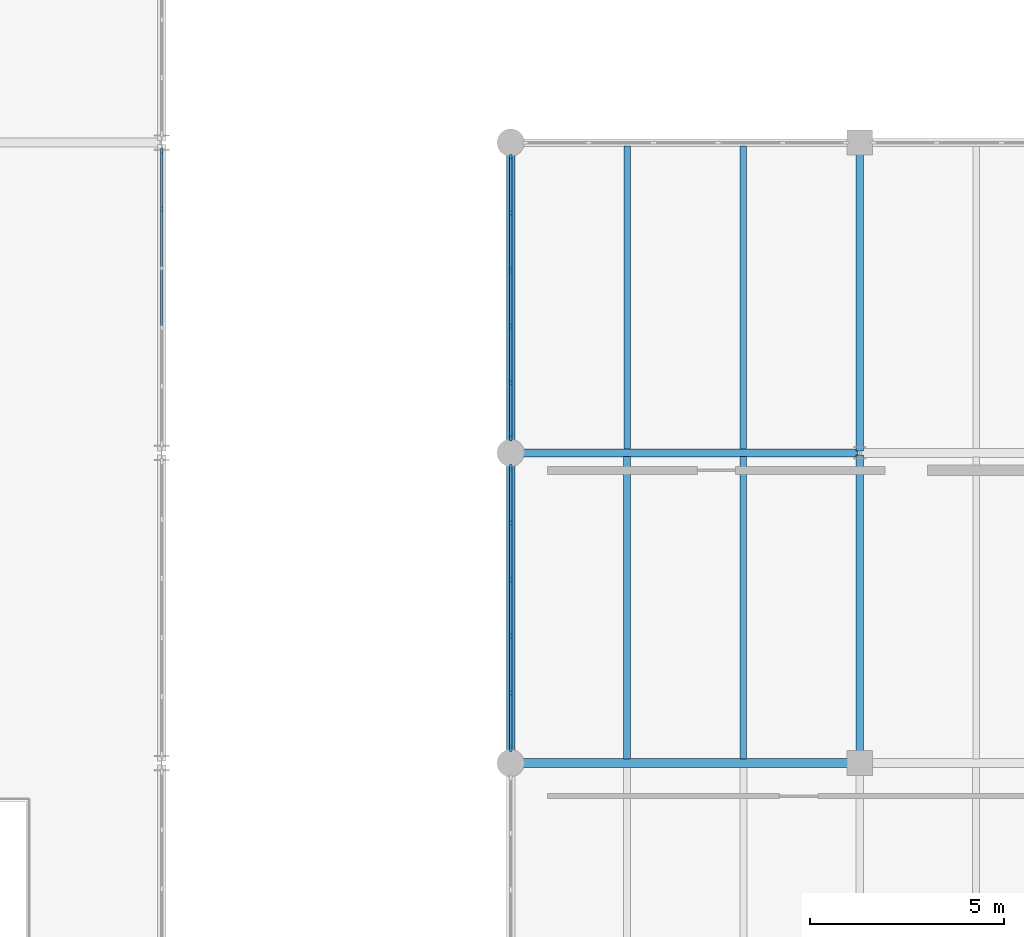
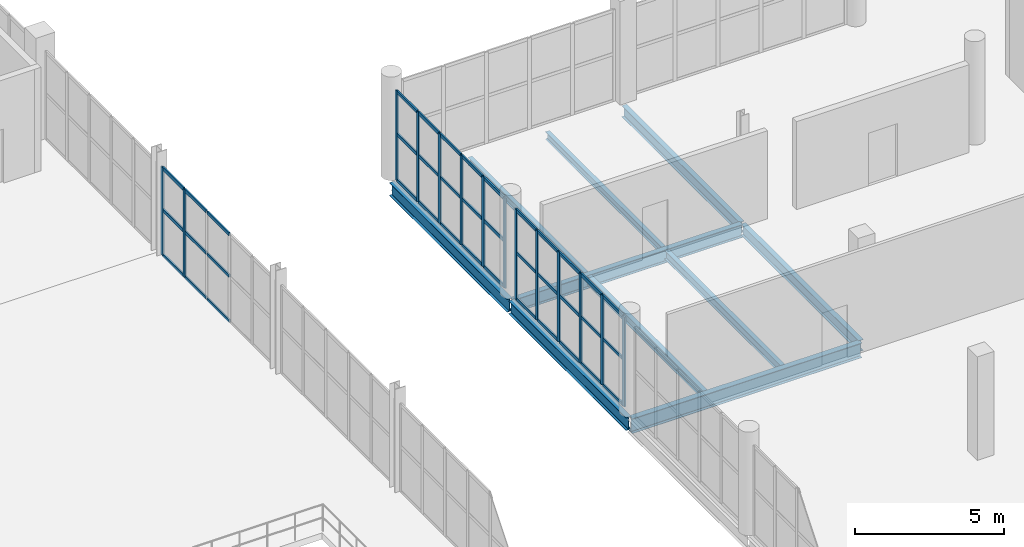
# One storey, part 30 of 85: 53 members, 10 beams, 3 elements without a shape of their own.
"""IFC4 building model written with IfcOpenShell, lengths in metres."""

from ifc_helpers import new_model, si_unit, direction, frame, origin, origin_2d, place, context, subcontext, project, spatial, rectangle, i_section, extrude, material, layer, layer_set, material_profile, profile_set, type_object, element, aggregate, save


model = new_model("IFC4")

# Units and contexts
model_context = context("Model", 3, precision=1e-05, world=origin(), true_north=direction((0.0, 1.0)))
body_context = subcontext(model_context, "Body", "Model", "MODEL_VIEW")
ifc_project = project(units=[si_unit("LENGTHUNIT", "METRE"), si_unit("AREAUNIT", "SQUARE_METRE"), si_unit("VOLUMEUNIT", "CUBIC_METRE"), si_unit("PLANEANGLEUNIT", "RADIAN"), si_unit("MASSUNIT", "GRAM", prefix="KILO")], contexts=[model_context])

# Site, building, storey
site_placement = place(None, origin())
site = spatial("IfcSite", under=ifc_project, at=site_placement, CompositionType="ELEMENT")
building_placement = place(site_placement, origin())
building = spatial("IfcBuilding", under=site, at=building_placement, Name="Marnock Terrace Opera House", CompositionType="ELEMENT")
storey_placement = place(building_placement, frame((0.0, 0.0, 10.199951171875)))
storey = spatial("IfcBuildingStorey", under=building, at=storey_placement, Name="L02", CompositionType="ELEMENT", Elevation=10.199951171875)

# Beams
ifc_material_1 = material(Name="Steel Grade 350 (AS/NZS 3679.1)", Category="steel")
ifc_material_profile_1 = material_profile(ifc_material_1, i_section(OverallWidth=0.18994140625, OverallDepth=0.45751953125, WebThickness=0.009033203125, FlangeThickness=0.014404296875, FilletRadius=0.011474609375, at=origin_2d()))
ifc_profile_set_1 = profile_set([ifc_material_profile_1], Name="Steel Grade 350 (AS/NZS 3679.1)")
beam_type_1 = type_object("IfcBeamType", Name="BM-GIRD-460B", PredefinedType="BEAM", material=ifc_profile_set_1)
for number, where, z_axis, x_axis, name in (
    (1, (127.0, 24.050048828125, -0.48876953125), (0.0, 1.0, 0.0), (-1.0, 0.0, 0.0), "L02 girder (X=127.0, 24.0..32.0)"),
    (2, (127.0, 32.050048828125, -0.48876953125), (0.0, 1.0, 0.0), (-1.0, 0.0, 0.0), "L02 girder (X=127.0, 32.0..40.0)"),
):
    element("IfcBeam", number, at=place(storey_placement, frame(where, z_axis=z_axis, x_axis=x_axis)), inside=storey, type_object=beam_type_1, Name=name, PredefinedType="BEAM", context=body_context, shape_type="SweptSolid", body=[
        extrude(i_section(OverallWidth=0.18994140625, OverallDepth=0.45751953125, WebThickness=0.009033203125, FlangeThickness=0.014404296875, FilletRadius=0.011474609375, at=origin_2d()), origin(), (0.0, 0.0, 1.0), 7.89990234375),
    ])
ifc_material_profile_2 = material_profile(ifc_material_1, i_section(OverallWidth=0.208984375, OverallDepth=0.532958984375, WebThickness=0.01025390625, FlangeThickness=0.015625, FilletRadius=0.013916015625, at=origin_2d()))
ifc_profile_set_2 = profile_set([ifc_material_profile_2], Name="Steel Grade 350 (AS/NZS 3679.1)")
beam_type_2 = type_object("IfcBeamType", Name="BM-GIRD-530A", PredefinedType="BEAM", material=ifc_profile_set_2)
beam_1_placement = place(storey_placement, frame((118.050048828125, 32.0, -0.5263671875), z_axis=(1.0, 0.0, 0.0), x_axis=(0.0, 1.0, 0.0)))
element("IfcBeam", 3, at=beam_1_placement, inside=storey, type_object=beam_type_2, Name="L02 girder (118.0..127.0, Y=32.0)", PredefinedType="BEAM", context=body_context, shape_type="SweptSolid", body=[
    extrude(i_section(OverallWidth=0.208984375, OverallDepth=0.532958984375, WebThickness=0.01025390625, FlangeThickness=0.015625, FilletRadius=0.013916015625, at=origin_2d()), origin(), (0.0, 0.0, 1.0), 8.89990234375),
])
ifc_material_profile_3 = material_profile(ifc_material_1, i_section(OverallWidth=0.208984375, OverallDepth=0.528076171875, WebThickness=0.009521484375, FlangeThickness=0.01318359375, FilletRadius=0.013916015625, at=origin_2d()))
ifc_profile_set_3 = profile_set([ifc_material_profile_3], Name="Steel Grade 350 (AS/NZS 3679.1)")
beam_type_3 = type_object("IfcBeamType", Name="BM-GIRD-530B", PredefinedType="BEAM", material=ifc_profile_set_3)
for number, where, z_axis, x_axis, name in (
    (4, (118.0, 24.050048828125, -0.52392578125), (0.0, 1.0, 0.0), (-1.0, 0.0, 0.0), "L02 girder (X=118.0, 24.0..32.0)"),
    (5, (118.0, 32.050048828125, -0.52392578125), (0.0, 1.0, 0.0), (-1.0, 0.0, 0.0), "L02 girder (X=118.0, 32.0..40.0)"),
):
    element("IfcBeam", number, at=place(storey_placement, frame(where, z_axis=z_axis, x_axis=x_axis)), inside=storey, type_object=beam_type_3, Name=name, PredefinedType="BEAM", context=body_context, shape_type="SweptSolid", body=[
        extrude(i_section(OverallWidth=0.208984375, OverallDepth=0.528076171875, WebThickness=0.009521484375, FlangeThickness=0.01318359375, FilletRadius=0.013916015625, at=origin_2d()), origin(), (0.0, 0.0, 1.0), 7.89990234375),
    ])
ifc_material_profile_4 = material_profile(ifc_material_1, i_section(OverallWidth=0.22802734375, OverallDepth=0.60693359375, WebThickness=0.01123046875, FlangeThickness=0.017333984375, FilletRadius=0.013916015625, at=origin_2d()))
ifc_profile_set_4 = profile_set([ifc_material_profile_4], Name="Steel Grade 350 (AS/NZS 3679.1)")
beam_type_4 = type_object("IfcBeamType", Name="BM-GIRD-610B", PredefinedType="BEAM", material=ifc_profile_set_4)
beam_2_placement = place(storey_placement, frame((118.050048828125, 24.0, -0.5634765625), z_axis=(1.0, 0.0, 0.0), x_axis=(0.0, 1.0, 0.0)))
element("IfcBeam", 6, at=beam_2_placement, inside=storey, type_object=beam_type_4, Name="L02 girder (118.0..127.0, Y=24.0)", PredefinedType="BEAM", context=body_context, shape_type="SweptSolid", body=[
    extrude(i_section(OverallWidth=0.22802734375, OverallDepth=0.60693359375, WebThickness=0.01123046875, FlangeThickness=0.017333984375, FilletRadius=0.013916015625, at=origin_2d()), origin(), (0.0, 0.0, 1.0), 8.89990234375),
])
ifc_material_profile_5 = material_profile(ifc_material_1, i_section(OverallWidth=0.166015625, OverallDepth=0.30712890625, WebThickness=0.006591796875, FlangeThickness=0.01171875, FilletRadius=0.011474609375, at=origin_2d()))
ifc_profile_set_5 = profile_set([ifc_material_profile_5], Name="Steel Grade 350 (AS/NZS 3679.1)")
beam_type_5 = type_object("IfcBeamType", Name="BM-JOIST-310A", PredefinedType="JOIST", material=ifc_profile_set_5)
for number, where, z_axis, x_axis, name in (
    (7, (121.0, 32.099609375, -0.41357421875), (0.0, 1.0, 0.0), (-1.0, 0.0, 0.0), "L02 secondary joist 13.4.1"),
    (8, (124.0, 32.099609375, -0.41357421875), (0.0, 1.0, 0.0), (-1.0, 0.0, 0.0), "L02 secondary joist 13.4.2"),
):
    element("IfcBeam", number, at=place(storey_placement, frame(where, z_axis=z_axis, x_axis=x_axis)), inside=storey, type_object=beam_type_5, Name=name, PredefinedType="JOIST", context=body_context, shape_type="SweptSolid", body=[
        extrude(i_section(OverallWidth=0.166015625, OverallDepth=0.30712890625, WebThickness=0.006591796875, FlangeThickness=0.01171875, FilletRadius=0.011474609375, at=origin_2d()), origin(), (0.0, 0.0, 1.0), 7.809814453125),
    ])
ifc_material_profile_6 = material_profile(ifc_material_1, i_section(OverallWidth=0.172119140625, OverallDepth=0.358642578125, WebThickness=0.008056640625, FlangeThickness=0.012939453125, FilletRadius=0.011474609375, at=origin_2d()))
ifc_profile_set_6 = profile_set([ifc_material_profile_6], Name="Steel Grade 350 (AS/NZS 3679.1)")
beam_type_6 = type_object("IfcBeamType", Name="BM-JOIST-360", PredefinedType="JOIST", material=ifc_profile_set_6)
for number, where, z_axis, x_axis, name in (
    (9, (121.0, 24.10888671875, -0.439208984375), (0.0, 1.0, 0.0), (-1.0, 0.0, 0.0), "L02 secondary joist 13.3.1"),
    (10, (124.0, 24.10888671875, -0.439208984375), (0.0, 1.0, 0.0), (-1.0, 0.0, 0.0), "L02 secondary joist 13.3.2"),
):
    element("IfcBeam", number, at=place(storey_placement, frame(where, z_axis=z_axis, x_axis=x_axis)), inside=storey, type_object=beam_type_6, Name=name, PredefinedType="JOIST", context=body_context, shape_type="SweptSolid", body=[
        extrude(i_section(OverallWidth=0.172119140625, OverallDepth=0.358642578125, WebThickness=0.008056640625, FlangeThickness=0.012939453125, FilletRadius=0.011474609375, at=origin_2d()), origin(), (0.0, 0.0, 1.0), 7.79150390625),
    ])

# Curtain wall, members
ifc_material_2 = material(Name="Anodised architectural bronze aluminium framing", Category="aluminium")
ifc_layer_1 = layer(ifc_material_2, 0.159912109375)
ifc_layer_set_1 = layer_set([ifc_layer_1], Name="Anodised architectural bronze aluminium framing")
curtain_wall_type_1 = type_object("IfcCurtainWallType", Name="CW-FOYER-80x42", PredefinedType="NOTDEFINED", material=ifc_layer_set_1)
curtain_wall_1_placement = place(storey_placement, origin())
curtain_wall_1 = element("IfcCurtainWall", 11, at=curtain_wall_1_placement, inside=storey, type_object=curtain_wall_type_1, Name="L02 glazed Beaux-Arts colonnade curtain wall CW-V1E-L02-04", PredefinedType="NOTDEFINED")
ifc_material_profile_7 = material_profile(ifc_material_2, rectangle(XDim=0.06005859375, YDim=0.14990234375, at=origin_2d()))
ifc_profile_set_7 = profile_set([ifc_material_profile_7], Name="Anodised architectural bronze aluminium framing")
member_type_1 = type_object("IfcMemberType", Name="CWM-60x150", PredefinedType="MULLION", material=ifc_profile_set_7)
member_1_placement = place(storey_placement, frame((109.0, 38.282470703125, 0.0), z_axis=(0.0, 0.0, 1.0), x_axis=(-1.0, 0.0, 0.0)))
member_1 = element("IfcMember", 12, at=member_1_placement, type_object=member_type_1, Name="CW-62 mullion 5", PredefinedType="MULLION", context=body_context, shape_type="SweptSolid", body=[
    extrude(rectangle(XDim=0.06005859375, YDim=0.14990234375, at=origin_2d()), origin(), (0.0, 0.0, 1.0), 3.608154296875),
])
member_2_placement = place(storey_placement, frame((109.0, 39.77392578125, 0.0), z_axis=(0.0, 0.0, 1.0), x_axis=(-1.0, 0.0, 0.0)))
member_2 = element("IfcMember", 13, at=member_2_placement, type_object=member_type_1, Name="CW-62 mullion 6", PredefinedType="MULLION", context=body_context, shape_type="SweptSolid", body=[
    extrude(rectangle(XDim=0.06005859375, YDim=0.14990234375, at=origin_2d()), origin(), (0.0, 0.0, 1.0), 3.608154296875),
])

ifc_layer_2 = layer(ifc_material_2, 0.159912109375)
ifc_layer_set_2 = layer_set([ifc_layer_2], Name="Anodised architectural bronze aluminium framing")
curtain_wall_type_2 = type_object("IfcCurtainWallType", Name="CW-LOGGIA-86x42", PredefinedType="NOTDEFINED", material=ifc_layer_set_2)
curtain_wall_2_placement = place(storey_placement, origin())
curtain_wall_2 = element("IfcCurtainWall", 14, at=curtain_wall_2_placement, inside=storey, type_object=curtain_wall_type_2, Name="L02 glazed Beaux-Arts colonnade curtain wall CW-V5-L02-W3", PredefinedType="NOTDEFINED")
member_3_placement = place(storey_placement, frame((118.0, 24.3759765625, 0.0), z_axis=(0.0, 0.0, 1.0), x_axis=(-1.0, 0.0, 0.0)))
member_3 = element("IfcMember", 15, at=member_3_placement, type_object=member_type_1, Name="CW-66 mullion 1", PredefinedType="MULLION", context=body_context, shape_type="SweptSolid", body=[
    extrude(rectangle(XDim=0.06005859375, YDim=0.14990234375, at=origin_2d()), origin(), (0.0, 0.0, 1.0), 3.68212890625),
])
member_4_placement = place(storey_placement, frame((118.0, 25.8076171875, 0.0), z_axis=(0.0, 0.0, 1.0), x_axis=(-1.0, 0.0, 0.0)))
member_4 = element("IfcMember", 16, at=member_4_placement, type_object=member_type_1, Name="CW-66 mullion 2", PredefinedType="MULLION", context=body_context, shape_type="SweptSolid", body=[
    extrude(rectangle(XDim=0.06005859375, YDim=0.14990234375, at=origin_2d()), origin(), (0.0, 0.0, 1.0), 3.68212890625),
])
member_5_placement = place(storey_placement, frame((118.0, 27.269287109375, 0.0), z_axis=(0.0, 0.0, 1.0), x_axis=(-1.0, 0.0, 0.0)))
member_5 = element("IfcMember", 17, at=member_5_placement, type_object=member_type_1, Name="CW-66 mullion 3", PredefinedType="MULLION", context=body_context, shape_type="SweptSolid", body=[
    extrude(rectangle(XDim=0.06005859375, YDim=0.14990234375, at=origin_2d()), origin(), (0.0, 0.0, 1.0), 3.68212890625),
])
member_6_placement = place(storey_placement, frame((118.0, 28.730712890625, 0.0), z_axis=(0.0, 0.0, 1.0), x_axis=(-1.0, 0.0, 0.0)))
member_6 = element("IfcMember", 18, at=member_6_placement, type_object=member_type_1, Name="CW-66 mullion 4", PredefinedType="MULLION", context=body_context, shape_type="SweptSolid", body=[
    extrude(rectangle(XDim=0.06005859375, YDim=0.14990234375, at=origin_2d()), origin(), (0.0, 0.0, 1.0), 3.68212890625),
])
member_7_placement = place(storey_placement, frame((118.0, 30.1923828125, 0.0), z_axis=(0.0, 0.0, 1.0), x_axis=(-1.0, 0.0, 0.0)))
member_7 = element("IfcMember", 19, at=member_7_placement, type_object=member_type_1, Name="CW-66 mullion 5", PredefinedType="MULLION", context=body_context, shape_type="SweptSolid", body=[
    extrude(rectangle(XDim=0.06005859375, YDim=0.14990234375, at=origin_2d()), origin(), (0.0, 0.0, 1.0), 3.68212890625),
])
member_8_placement = place(storey_placement, frame((118.0, 31.6240234375, 0.0), z_axis=(0.0, 0.0, 1.0), x_axis=(-1.0, 0.0, 0.0)))
member_8 = element("IfcMember", 20, at=member_8_placement, type_object=member_type_1, Name="CW-66 mullion 6", PredefinedType="MULLION", context=body_context, shape_type="SweptSolid", body=[
    extrude(rectangle(XDim=0.06005859375, YDim=0.14990234375, at=origin_2d()), origin(), (0.0, 0.0, 1.0), 3.68212890625),
])

curtain_wall_3_placement = place(storey_placement, origin())
curtain_wall_3 = element("IfcCurtainWall", 21, at=curtain_wall_3_placement, inside=storey, type_object=curtain_wall_type_2, Name="L02 glazed Beaux-Arts colonnade curtain wall CW-V5-L02-W4", PredefinedType="NOTDEFINED")
member_9_placement = place(storey_placement, frame((118.0, 32.3759765625, 0.0), z_axis=(0.0, 0.0, 1.0), x_axis=(-1.0, 0.0, 0.0)))
member_9 = element("IfcMember", 22, at=member_9_placement, type_object=member_type_1, Name="CW-66 mullion 1", PredefinedType="MULLION", context=body_context, shape_type="SweptSolid", body=[
    extrude(rectangle(XDim=0.06005859375, YDim=0.14990234375, at=origin_2d()), origin(), (0.0, 0.0, 1.0), 3.68212890625),
])
member_10_placement = place(storey_placement, frame((118.0, 33.8076171875, 0.0), z_axis=(0.0, 0.0, 1.0), x_axis=(-1.0, 0.0, 0.0)))
member_10 = element("IfcMember", 23, at=member_10_placement, type_object=member_type_1, Name="CW-66 mullion 2", PredefinedType="MULLION", context=body_context, shape_type="SweptSolid", body=[
    extrude(rectangle(XDim=0.06005859375, YDim=0.14990234375, at=origin_2d()), origin(), (0.0, 0.0, 1.0), 3.68212890625),
])
member_11_placement = place(storey_placement, frame((118.0, 35.269287109375, 0.0), z_axis=(0.0, 0.0, 1.0), x_axis=(-1.0, 0.0, 0.0)))
member_11 = element("IfcMember", 24, at=member_11_placement, type_object=member_type_1, Name="CW-66 mullion 3", PredefinedType="MULLION", context=body_context, shape_type="SweptSolid", body=[
    extrude(rectangle(XDim=0.06005859375, YDim=0.14990234375, at=origin_2d()), origin(), (0.0, 0.0, 1.0), 3.68212890625),
])
member_12_placement = place(storey_placement, frame((118.0, 36.730712890625, 0.0), z_axis=(0.0, 0.0, 1.0), x_axis=(-1.0, 0.0, 0.0)))
member_12 = element("IfcMember", 25, at=member_12_placement, type_object=member_type_1, Name="CW-66 mullion 4", PredefinedType="MULLION", context=body_context, shape_type="SweptSolid", body=[
    extrude(rectangle(XDim=0.06005859375, YDim=0.14990234375, at=origin_2d()), origin(), (0.0, 0.0, 1.0), 3.68212890625),
])
member_13_placement = place(storey_placement, frame((118.0, 38.1923828125, 0.0), z_axis=(0.0, 0.0, 1.0), x_axis=(-1.0, 0.0, 0.0)))
member_13 = element("IfcMember", 26, at=member_13_placement, type_object=member_type_1, Name="CW-66 mullion 5", PredefinedType="MULLION", context=body_context, shape_type="SweptSolid", body=[
    extrude(rectangle(XDim=0.06005859375, YDim=0.14990234375, at=origin_2d()), origin(), (0.0, 0.0, 1.0), 3.68212890625),
])
member_14_placement = place(storey_placement, frame((118.0, 39.6240234375, 0.0), z_axis=(0.0, 0.0, 1.0), x_axis=(-1.0, 0.0, 0.0)))
member_14 = element("IfcMember", 27, at=member_14_placement, type_object=member_type_1, Name="CW-66 mullion 6", PredefinedType="MULLION", context=body_context, shape_type="SweptSolid", body=[
    extrude(rectangle(XDim=0.06005859375, YDim=0.14990234375, at=origin_2d()), origin(), (0.0, 0.0, 1.0), 3.68212890625),
])

# Member
ifc_material_profile_8 = material_profile(ifc_material_2, rectangle(XDim=0.06005859375, YDim=0.1298828125, at=origin_2d()))
ifc_profile_set_8 = profile_set([ifc_material_profile_8], Name="Anodised architectural bronze aluminium framing")
member_type_2 = type_object("IfcMemberType", Name="CWT-60x130", PredefinedType="USERDEFINED", material=ifc_profile_set_8)
member_15_placement = place(storey_placement, frame((109.0, 35.269287109375, 0.030029296875), z_axis=(0.0, 1.0, 0.0), x_axis=(-1.0, 0.0, 0.0)))
member_15 = element("IfcMember", 28, at=member_15_placement, type_object=member_type_2, Name="CW-62 transom 3.1", ObjectType="TRANSOM", PredefinedType="USERDEFINED", context=body_context, shape_type="SweptSolid", body=[
    extrude(rectangle(XDim=0.06005859375, YDim=0.1298828125, at=origin_2d()), origin(), (0.0, 0.0, 1.0), 1.46142578125),
])

member_16_placement = place(storey_placement, frame((109.0, 35.269287109375, 1.876220703125), z_axis=(0.0, 1.0, 0.0), x_axis=(-1.0, 0.0, 0.0)))
member_16 = element("IfcMember", 29, at=member_16_placement, type_object=member_type_2, Name="CW-62 transom 3.2", ObjectType="TRANSOM", PredefinedType="USERDEFINED", context=body_context, shape_type="SweptSolid", body=[
    extrude(rectangle(XDim=0.06005859375, YDim=0.1298828125, at=origin_2d()), origin(), (0.0, 0.0, 1.0), 1.46142578125),
])

member_17_placement = place(storey_placement, frame((109.0, 35.269287109375, 3.578125), z_axis=(0.0, 1.0, 0.0), x_axis=(-1.0, 0.0, 0.0)))
member_17 = element("IfcMember", 30, at=member_17_placement, type_object=member_type_2, Name="CW-62 transom 3.3", ObjectType="TRANSOM", PredefinedType="USERDEFINED", context=body_context, shape_type="SweptSolid", body=[
    extrude(rectangle(XDim=0.06005859375, YDim=0.1298828125, at=origin_2d()), origin(), (0.0, 0.0, 1.0), 1.46142578125),
])

member_18_placement = place(storey_placement, frame((109.0, 36.790771484375, 0.030029296875), z_axis=(0.0, 1.0, 0.0), x_axis=(-1.0, 0.0, 0.0)))
member_18 = element("IfcMember", 31, at=member_18_placement, type_object=member_type_2, Name="CW-62 transom 4.1", ObjectType="TRANSOM", PredefinedType="USERDEFINED", context=body_context, shape_type="SweptSolid", body=[
    extrude(rectangle(XDim=0.06005859375, YDim=0.1298828125, at=origin_2d()), origin(), (0.0, 0.0, 1.0), 1.461669921875),
])

member_19_placement = place(storey_placement, frame((109.0, 36.790771484375, 1.876220703125), z_axis=(0.0, 1.0, 0.0), x_axis=(-1.0, 0.0, 0.0)))
member_19 = element("IfcMember", 32, at=member_19_placement, type_object=member_type_2, Name="CW-62 transom 4.2", ObjectType="TRANSOM", PredefinedType="USERDEFINED", context=body_context, shape_type="SweptSolid", body=[
    extrude(rectangle(XDim=0.06005859375, YDim=0.1298828125, at=origin_2d()), origin(), (0.0, 0.0, 1.0), 1.461669921875),
])

member_20_placement = place(storey_placement, frame((109.0, 36.790771484375, 3.578125), z_axis=(0.0, 1.0, 0.0), x_axis=(-1.0, 0.0, 0.0)))
member_20 = element("IfcMember", 33, at=member_20_placement, type_object=member_type_2, Name="CW-62 transom 4.3", ObjectType="TRANSOM", PredefinedType="USERDEFINED", context=body_context, shape_type="SweptSolid", body=[
    extrude(rectangle(XDim=0.06005859375, YDim=0.1298828125, at=origin_2d()), origin(), (0.0, 0.0, 1.0), 1.461669921875),
])

member_21_placement = place(storey_placement, frame((109.0, 38.3125, 0.030029296875), z_axis=(0.0, 1.0, 0.0), x_axis=(-1.0, 0.0, 0.0)))
member_21 = element("IfcMember", 34, at=member_21_placement, type_object=member_type_2, Name="CW-62 transom 5.1", ObjectType="TRANSOM", PredefinedType="USERDEFINED", context=body_context, shape_type="SweptSolid", body=[
    extrude(rectangle(XDim=0.06005859375, YDim=0.1298828125, at=origin_2d()), origin(), (0.0, 0.0, 1.0), 1.431396484375),
])

member_22_placement = place(storey_placement, frame((109.0, 38.3125, 1.876220703125), z_axis=(0.0, 1.0, 0.0), x_axis=(-1.0, 0.0, 0.0)))
member_22 = element("IfcMember", 35, at=member_22_placement, type_object=member_type_2, Name="CW-62 transom 5.2", ObjectType="TRANSOM", PredefinedType="USERDEFINED", context=body_context, shape_type="SweptSolid", body=[
    extrude(rectangle(XDim=0.06005859375, YDim=0.1298828125, at=origin_2d()), origin(), (0.0, 0.0, 1.0), 1.431396484375),
])

member_23_placement = place(storey_placement, frame((109.0, 38.3125, 3.578125), z_axis=(0.0, 1.0, 0.0), x_axis=(-1.0, 0.0, 0.0)))
member_23 = element("IfcMember", 36, at=member_23_placement, type_object=member_type_2, Name="CW-62 transom 5.3", ObjectType="TRANSOM", PredefinedType="USERDEFINED", context=body_context, shape_type="SweptSolid", body=[
    extrude(rectangle(XDim=0.06005859375, YDim=0.1298828125, at=origin_2d()), origin(), (0.0, 0.0, 1.0), 1.431396484375),
])

aggregate(curtain_wall_1, [member_1, member_2, member_15, member_16, member_17, member_18, member_19, member_20, member_21, member_22, member_23])

member_24_placement = place(storey_placement, frame((118.0, 24.406005859375, 0.030029296875), z_axis=(0.0, 1.0, 0.0), x_axis=(-1.0, 0.0, 0.0)))
member_24 = element("IfcMember", 37, at=member_24_placement, type_object=member_type_2, Name="CW-66 transom 1.1", ObjectType="TRANSOM", PredefinedType="USERDEFINED", context=body_context, shape_type="SweptSolid", body=[
    extrude(rectangle(XDim=0.06005859375, YDim=0.1298828125, at=origin_2d()), origin(), (0.0, 0.0, 1.0), 1.37158203125),
])

member_25_placement = place(storey_placement, frame((118.0, 24.406005859375, 1.91455078125), z_axis=(0.0, 1.0, 0.0), x_axis=(-1.0, 0.0, 0.0)))
member_25 = element("IfcMember", 38, at=member_25_placement, type_object=member_type_2, Name="CW-66 transom 1.2", ObjectType="TRANSOM", PredefinedType="USERDEFINED", context=body_context, shape_type="SweptSolid", body=[
    extrude(rectangle(XDim=0.06005859375, YDim=0.1298828125, at=origin_2d()), origin(), (0.0, 0.0, 1.0), 1.37158203125),
])

member_26_placement = place(storey_placement, frame((118.0, 24.406005859375, 3.652099609375), z_axis=(0.0, 1.0, 0.0), x_axis=(-1.0, 0.0, 0.0)))
member_26 = element("IfcMember", 39, at=member_26_placement, type_object=member_type_2, Name="CW-66 transom 1.3", ObjectType="TRANSOM", PredefinedType="USERDEFINED", context=body_context, shape_type="SweptSolid", body=[
    extrude(rectangle(XDim=0.06005859375, YDim=0.1298828125, at=origin_2d()), origin(), (0.0, 0.0, 1.0), 1.37158203125),
])

member_27_placement = place(storey_placement, frame((118.0, 25.837646484375, 0.030029296875), z_axis=(0.0, 1.0, 0.0), x_axis=(-1.0, 0.0, 0.0)))
member_27 = element("IfcMember", 40, at=member_27_placement, type_object=member_type_2, Name="CW-66 transom 2.1", ObjectType="TRANSOM", PredefinedType="USERDEFINED", context=body_context, shape_type="SweptSolid", body=[
    extrude(rectangle(XDim=0.06005859375, YDim=0.1298828125, at=origin_2d()), origin(), (0.0, 0.0, 1.0), 1.401611328125),
])

member_28_placement = place(storey_placement, frame((118.0, 25.837646484375, 1.91455078125), z_axis=(0.0, 1.0, 0.0), x_axis=(-1.0, 0.0, 0.0)))
member_28 = element("IfcMember", 41, at=member_28_placement, type_object=member_type_2, Name="CW-66 transom 2.2", ObjectType="TRANSOM", PredefinedType="USERDEFINED", context=body_context, shape_type="SweptSolid", body=[
    extrude(rectangle(XDim=0.06005859375, YDim=0.1298828125, at=origin_2d()), origin(), (0.0, 0.0, 1.0), 1.401611328125),
])

member_29_placement = place(storey_placement, frame((118.0, 25.837646484375, 3.652099609375), z_axis=(0.0, 1.0, 0.0), x_axis=(-1.0, 0.0, 0.0)))
member_29 = element("IfcMember", 42, at=member_29_placement, type_object=member_type_2, Name="CW-66 transom 2.3", ObjectType="TRANSOM", PredefinedType="USERDEFINED", context=body_context, shape_type="SweptSolid", body=[
    extrude(rectangle(XDim=0.06005859375, YDim=0.1298828125, at=origin_2d()), origin(), (0.0, 0.0, 1.0), 1.401611328125),
])

member_30_placement = place(storey_placement, frame((118.0, 27.29931640625, 0.030029296875), z_axis=(0.0, 1.0, 0.0), x_axis=(-1.0, 0.0, 0.0)))
member_30 = element("IfcMember", 43, at=member_30_placement, type_object=member_type_2, Name="CW-66 transom 3.1", ObjectType="TRANSOM", PredefinedType="USERDEFINED", context=body_context, shape_type="SweptSolid", body=[
    extrude(rectangle(XDim=0.06005859375, YDim=0.1298828125, at=origin_2d()), origin(), (0.0, 0.0, 1.0), 1.4013671875),
])

member_31_placement = place(storey_placement, frame((118.0, 27.29931640625, 1.91455078125), z_axis=(0.0, 1.0, 0.0), x_axis=(-1.0, 0.0, 0.0)))
member_31 = element("IfcMember", 44, at=member_31_placement, type_object=member_type_2, Name="CW-66 transom 3.2", ObjectType="TRANSOM", PredefinedType="USERDEFINED", context=body_context, shape_type="SweptSolid", body=[
    extrude(rectangle(XDim=0.06005859375, YDim=0.1298828125, at=origin_2d()), origin(), (0.0, 0.0, 1.0), 1.4013671875),
])

member_32_placement = place(storey_placement, frame((118.0, 27.29931640625, 3.652099609375), z_axis=(0.0, 1.0, 0.0), x_axis=(-1.0, 0.0, 0.0)))
member_32 = element("IfcMember", 45, at=member_32_placement, type_object=member_type_2, Name="CW-66 transom 3.3", ObjectType="TRANSOM", PredefinedType="USERDEFINED", context=body_context, shape_type="SweptSolid", body=[
    extrude(rectangle(XDim=0.06005859375, YDim=0.1298828125, at=origin_2d()), origin(), (0.0, 0.0, 1.0), 1.4013671875),
])

member_33_placement = place(storey_placement, frame((118.0, 28.7607421875, 0.030029296875), z_axis=(0.0, 1.0, 0.0), x_axis=(-1.0, 0.0, 0.0)))
member_33 = element("IfcMember", 46, at=member_33_placement, type_object=member_type_2, Name="CW-66 transom 4.1", ObjectType="TRANSOM", PredefinedType="USERDEFINED", context=body_context, shape_type="SweptSolid", body=[
    extrude(rectangle(XDim=0.06005859375, YDim=0.1298828125, at=origin_2d()), origin(), (0.0, 0.0, 1.0), 1.401611328125),
])

member_34_placement = place(storey_placement, frame((118.0, 28.7607421875, 1.91455078125), z_axis=(0.0, 1.0, 0.0), x_axis=(-1.0, 0.0, 0.0)))
member_34 = element("IfcMember", 47, at=member_34_placement, type_object=member_type_2, Name="CW-66 transom 4.2", ObjectType="TRANSOM", PredefinedType="USERDEFINED", context=body_context, shape_type="SweptSolid", body=[
    extrude(rectangle(XDim=0.06005859375, YDim=0.1298828125, at=origin_2d()), origin(), (0.0, 0.0, 1.0), 1.401611328125),
])

member_35_placement = place(storey_placement, frame((118.0, 28.7607421875, 3.652099609375), z_axis=(0.0, 1.0, 0.0), x_axis=(-1.0, 0.0, 0.0)))
member_35 = element("IfcMember", 48, at=member_35_placement, type_object=member_type_2, Name="CW-66 transom 4.3", ObjectType="TRANSOM", PredefinedType="USERDEFINED", context=body_context, shape_type="SweptSolid", body=[
    extrude(rectangle(XDim=0.06005859375, YDim=0.1298828125, at=origin_2d()), origin(), (0.0, 0.0, 1.0), 1.401611328125),
])

member_36_placement = place(storey_placement, frame((118.0, 30.222412109375, 0.030029296875), z_axis=(0.0, 1.0, 0.0), x_axis=(-1.0, 0.0, 0.0)))
member_36 = element("IfcMember", 49, at=member_36_placement, type_object=member_type_2, Name="CW-66 transom 5.1", ObjectType="TRANSOM", PredefinedType="USERDEFINED", context=body_context, shape_type="SweptSolid", body=[
    extrude(rectangle(XDim=0.06005859375, YDim=0.1298828125, at=origin_2d()), origin(), (0.0, 0.0, 1.0), 1.37158203125),
])

member_37_placement = place(storey_placement, frame((118.0, 30.222412109375, 1.91455078125), z_axis=(0.0, 1.0, 0.0), x_axis=(-1.0, 0.0, 0.0)))
member_37 = element("IfcMember", 50, at=member_37_placement, type_object=member_type_2, Name="CW-66 transom 5.2", ObjectType="TRANSOM", PredefinedType="USERDEFINED", context=body_context, shape_type="SweptSolid", body=[
    extrude(rectangle(XDim=0.06005859375, YDim=0.1298828125, at=origin_2d()), origin(), (0.0, 0.0, 1.0), 1.37158203125),
])

member_38_placement = place(storey_placement, frame((118.0, 30.222412109375, 3.652099609375), z_axis=(0.0, 1.0, 0.0), x_axis=(-1.0, 0.0, 0.0)))
member_38 = element("IfcMember", 51, at=member_38_placement, type_object=member_type_2, Name="CW-66 transom 5.3", ObjectType="TRANSOM", PredefinedType="USERDEFINED", context=body_context, shape_type="SweptSolid", body=[
    extrude(rectangle(XDim=0.06005859375, YDim=0.1298828125, at=origin_2d()), origin(), (0.0, 0.0, 1.0), 1.37158203125),
])

aggregate(curtain_wall_2, [member_3, member_4, member_5, member_6, member_7, member_8, member_24, member_25, member_26, member_27, member_28, member_29, member_30, member_31, member_32, member_33, member_34, member_35, member_36, member_37, member_38])

member_39_placement = place(storey_placement, frame((118.0, 32.406005859375, 0.030029296875), z_axis=(0.0, 1.0, 0.0), x_axis=(-1.0, 0.0, 0.0)))
member_39 = element("IfcMember", 52, at=member_39_placement, type_object=member_type_2, Name="CW-66 transom 1.1", ObjectType="TRANSOM", PredefinedType="USERDEFINED", context=body_context, shape_type="SweptSolid", body=[
    extrude(rectangle(XDim=0.06005859375, YDim=0.1298828125, at=origin_2d()), origin(), (0.0, 0.0, 1.0), 1.37158203125),
])

member_40_placement = place(storey_placement, frame((118.0, 32.406005859375, 1.91455078125), z_axis=(0.0, 1.0, 0.0), x_axis=(-1.0, 0.0, 0.0)))
member_40 = element("IfcMember", 53, at=member_40_placement, type_object=member_type_2, Name="CW-66 transom 1.2", ObjectType="TRANSOM", PredefinedType="USERDEFINED", context=body_context, shape_type="SweptSolid", body=[
    extrude(rectangle(XDim=0.06005859375, YDim=0.1298828125, at=origin_2d()), origin(), (0.0, 0.0, 1.0), 1.37158203125),
])

member_41_placement = place(storey_placement, frame((118.0, 32.406005859375, 3.652099609375), z_axis=(0.0, 1.0, 0.0), x_axis=(-1.0, 0.0, 0.0)))
member_41 = element("IfcMember", 54, at=member_41_placement, type_object=member_type_2, Name="CW-66 transom 1.3", ObjectType="TRANSOM", PredefinedType="USERDEFINED", context=body_context, shape_type="SweptSolid", body=[
    extrude(rectangle(XDim=0.06005859375, YDim=0.1298828125, at=origin_2d()), origin(), (0.0, 0.0, 1.0), 1.37158203125),
])

member_42_placement = place(storey_placement, frame((118.0, 33.837646484375, 0.030029296875), z_axis=(0.0, 1.0, 0.0), x_axis=(-1.0, 0.0, 0.0)))
member_42 = element("IfcMember", 55, at=member_42_placement, type_object=member_type_2, Name="CW-66 transom 2.1", ObjectType="TRANSOM", PredefinedType="USERDEFINED", context=body_context, shape_type="SweptSolid", body=[
    extrude(rectangle(XDim=0.06005859375, YDim=0.1298828125, at=origin_2d()), origin(), (0.0, 0.0, 1.0), 1.401611328125),
])

member_43_placement = place(storey_placement, frame((118.0, 33.837646484375, 1.91455078125), z_axis=(0.0, 1.0, 0.0), x_axis=(-1.0, 0.0, 0.0)))
member_43 = element("IfcMember", 56, at=member_43_placement, type_object=member_type_2, Name="CW-66 transom 2.2", ObjectType="TRANSOM", PredefinedType="USERDEFINED", context=body_context, shape_type="SweptSolid", body=[
    extrude(rectangle(XDim=0.06005859375, YDim=0.1298828125, at=origin_2d()), origin(), (0.0, 0.0, 1.0), 1.401611328125),
])

member_44_placement = place(storey_placement, frame((118.0, 33.837646484375, 3.652099609375), z_axis=(0.0, 1.0, 0.0), x_axis=(-1.0, 0.0, 0.0)))
member_44 = element("IfcMember", 57, at=member_44_placement, type_object=member_type_2, Name="CW-66 transom 2.3", ObjectType="TRANSOM", PredefinedType="USERDEFINED", context=body_context, shape_type="SweptSolid", body=[
    extrude(rectangle(XDim=0.06005859375, YDim=0.1298828125, at=origin_2d()), origin(), (0.0, 0.0, 1.0), 1.401611328125),
])

member_45_placement = place(storey_placement, frame((118.0, 35.29931640625, 0.030029296875), z_axis=(0.0, 1.0, 0.0), x_axis=(-1.0, 0.0, 0.0)))
member_45 = element("IfcMember", 58, at=member_45_placement, type_object=member_type_2, Name="CW-66 transom 3.1", ObjectType="TRANSOM", PredefinedType="USERDEFINED", context=body_context, shape_type="SweptSolid", body=[
    extrude(rectangle(XDim=0.06005859375, YDim=0.1298828125, at=origin_2d()), origin(), (0.0, 0.0, 1.0), 1.4013671875),
])

member_46_placement = place(storey_placement, frame((118.0, 35.29931640625, 1.91455078125), z_axis=(0.0, 1.0, 0.0), x_axis=(-1.0, 0.0, 0.0)))
member_46 = element("IfcMember", 59, at=member_46_placement, type_object=member_type_2, Name="CW-66 transom 3.2", ObjectType="TRANSOM", PredefinedType="USERDEFINED", context=body_context, shape_type="SweptSolid", body=[
    extrude(rectangle(XDim=0.06005859375, YDim=0.1298828125, at=origin_2d()), origin(), (0.0, 0.0, 1.0), 1.4013671875),
])

member_47_placement = place(storey_placement, frame((118.0, 35.29931640625, 3.652099609375), z_axis=(0.0, 1.0, 0.0), x_axis=(-1.0, 0.0, 0.0)))
member_47 = element("IfcMember", 60, at=member_47_placement, type_object=member_type_2, Name="CW-66 transom 3.3", ObjectType="TRANSOM", PredefinedType="USERDEFINED", context=body_context, shape_type="SweptSolid", body=[
    extrude(rectangle(XDim=0.06005859375, YDim=0.1298828125, at=origin_2d()), origin(), (0.0, 0.0, 1.0), 1.4013671875),
])

member_48_placement = place(storey_placement, frame((118.0, 36.7607421875, 0.030029296875), z_axis=(0.0, 1.0, 0.0), x_axis=(-1.0, 0.0, 0.0)))
member_48 = element("IfcMember", 61, at=member_48_placement, type_object=member_type_2, Name="CW-66 transom 4.1", ObjectType="TRANSOM", PredefinedType="USERDEFINED", context=body_context, shape_type="SweptSolid", body=[
    extrude(rectangle(XDim=0.06005859375, YDim=0.1298828125, at=origin_2d()), origin(), (0.0, 0.0, 1.0), 1.401611328125),
])

member_49_placement = place(storey_placement, frame((118.0, 36.7607421875, 1.91455078125), z_axis=(0.0, 1.0, 0.0), x_axis=(-1.0, 0.0, 0.0)))
member_49 = element("IfcMember", 62, at=member_49_placement, type_object=member_type_2, Name="CW-66 transom 4.2", ObjectType="TRANSOM", PredefinedType="USERDEFINED", context=body_context, shape_type="SweptSolid", body=[
    extrude(rectangle(XDim=0.06005859375, YDim=0.1298828125, at=origin_2d()), origin(), (0.0, 0.0, 1.0), 1.401611328125),
])

member_50_placement = place(storey_placement, frame((118.0, 36.7607421875, 3.652099609375), z_axis=(0.0, 1.0, 0.0), x_axis=(-1.0, 0.0, 0.0)))
member_50 = element("IfcMember", 63, at=member_50_placement, type_object=member_type_2, Name="CW-66 transom 4.3", ObjectType="TRANSOM", PredefinedType="USERDEFINED", context=body_context, shape_type="SweptSolid", body=[
    extrude(rectangle(XDim=0.06005859375, YDim=0.1298828125, at=origin_2d()), origin(), (0.0, 0.0, 1.0), 1.401611328125),
])

member_51_placement = place(storey_placement, frame((118.0, 38.222412109375, 0.030029296875), z_axis=(0.0, 1.0, 0.0), x_axis=(-1.0, 0.0, 0.0)))
member_51 = element("IfcMember", 64, at=member_51_placement, type_object=member_type_2, Name="CW-66 transom 5.1", ObjectType="TRANSOM", PredefinedType="USERDEFINED", context=body_context, shape_type="SweptSolid", body=[
    extrude(rectangle(XDim=0.06005859375, YDim=0.1298828125, at=origin_2d()), origin(), (0.0, 0.0, 1.0), 1.37158203125),
])

member_52_placement = place(storey_placement, frame((118.0, 38.222412109375, 1.91455078125), z_axis=(0.0, 1.0, 0.0), x_axis=(-1.0, 0.0, 0.0)))
member_52 = element("IfcMember", 65, at=member_52_placement, type_object=member_type_2, Name="CW-66 transom 5.2", ObjectType="TRANSOM", PredefinedType="USERDEFINED", context=body_context, shape_type="SweptSolid", body=[
    extrude(rectangle(XDim=0.06005859375, YDim=0.1298828125, at=origin_2d()), origin(), (0.0, 0.0, 1.0), 1.37158203125),
])

member_53_placement = place(storey_placement, frame((118.0, 38.222412109375, 3.652099609375), z_axis=(0.0, 1.0, 0.0), x_axis=(-1.0, 0.0, 0.0)))
member_53 = element("IfcMember", 66, at=member_53_placement, type_object=member_type_2, Name="CW-66 transom 5.3", ObjectType="TRANSOM", PredefinedType="USERDEFINED", context=body_context, shape_type="SweptSolid", body=[
    extrude(rectangle(XDim=0.06005859375, YDim=0.1298828125, at=origin_2d()), origin(), (0.0, 0.0, 1.0), 1.37158203125),
])

aggregate(curtain_wall_3, [member_9, member_10, member_11, member_12, member_13, member_14, member_39, member_40, member_41, member_42, member_43, member_44, member_45, member_46, member_47, member_48, member_49, member_50, member_51, member_52, member_53])

save(model, "model.ifc")
